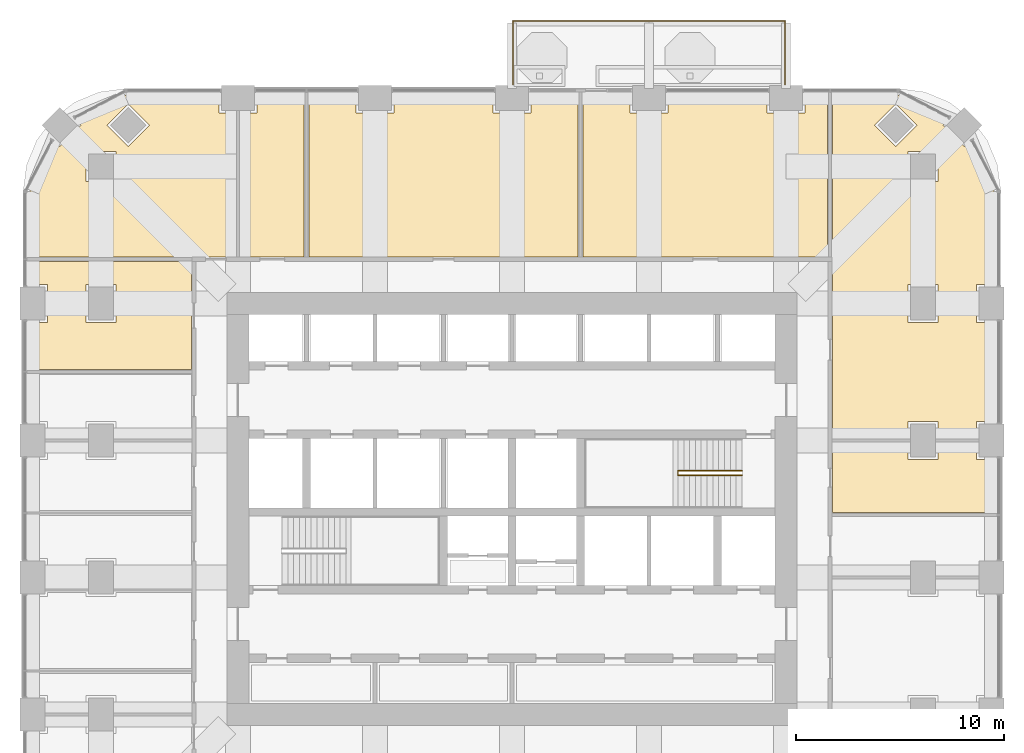
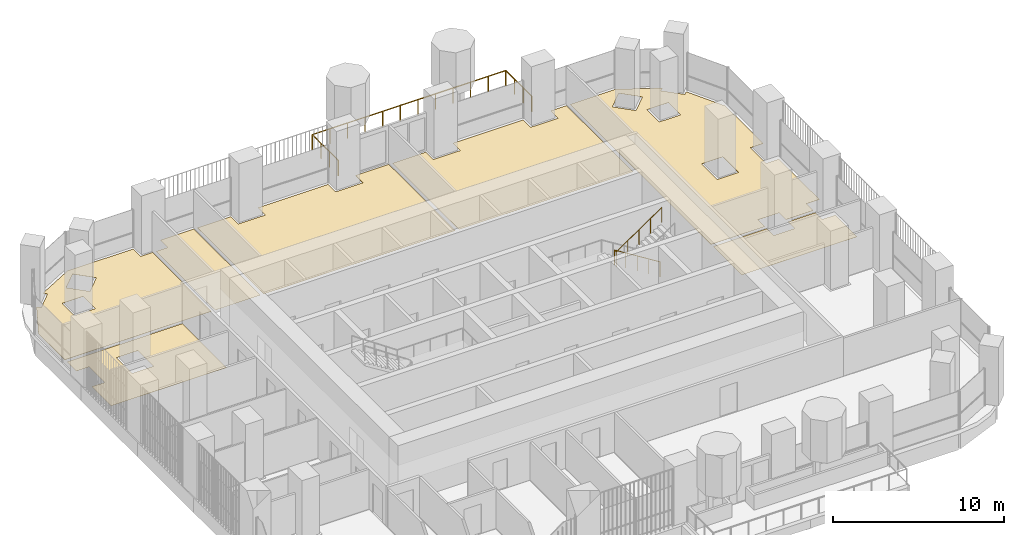
# One storey, part 18 of 19: 7 coverings, 2 railings.
"""IFC4 building model written with IfcOpenShell, lengths in metres."""

import ifcopenshell
import ifcopenshell.guid

model = None  # the IFC model being written
_history = None  # IfcOwnerHistory: only IFC2X3 demands one
_inside = {}  # id of a spatial element -> (the spatial element, [elements in it])
_under = {}  # id of a project, library or spatial element -> (it, [spatial elements below it])
_declared = {}  # id of a project -> (the project, [libraries it declares])
_typed = {}  # id of a type object -> (the type object, [elements of that type])
_made_of = {}  # id of a material, layer set ... -> (it, [elements and type objects made of it])


def new_model(schema):
    """Start an empty IFC model of exactly this schema.

    Asked for "IFC4X3", IfcOpenShell would pick the latest addendum, in which some entities
    have other attributes; the version numbers below select the first issue.
    IFC2X3 requires an IfcOwnerHistory on every rooted entity: one is made here for all.
    """
    global model, _history
    if schema == "IFC4X3":
        model = ifcopenshell.file(schema_version=(4, 3, 0, 0))
    else:
        model = ifcopenshell.file(schema=schema)
    _inside.clear()
    _under.clear()
    _declared.clear()
    _typed.clear()
    _made_of.clear()
    _history = None
    if model.schema == "IFC2X3":
        org = make("IfcOrganization", Name="unknown")
        user = make(
            "IfcPersonAndOrganization",
            ThePerson=make("IfcPerson", FamilyName="unknown"),
            TheOrganization=org,
        )
        app = make(
            "IfcApplication",
            ApplicationDeveloper=org,
            Version="unknown",
            ApplicationFullName="unknown",
            ApplicationIdentifier="unknown",
        )
        _history = make(
            "IfcOwnerHistory",
            OwningUser=user,
            OwningApplication=app,
            ChangeAction="ADDED",
            CreationDate=0,
        )
    return model


def make(cls, **values):
    """One entity of the class cls with the attributes given. An attribute that is None is left unset."""
    return model.create_entity(
        cls, **{name: value for name, value in values.items() if value is not None}
    )


def rooted(cls, **values):
    """An entity with a GlobalId (a new one), such as an element, a storey or a relation."""
    return make(cls, GlobalId=ifcopenshell.guid.new(), OwnerHistory=_history, **values)


def si_unit(unit_type, name, prefix=None):
    """IfcSIUnit, for example si_unit("LENGTHUNIT", "METRE", prefix="MILLI")."""
    return make("IfcSIUnit", UnitType=unit_type, Prefix=prefix, Name=name)


def assignment(units):
    """IfcUnitAssignment: the units of a project."""
    return None if units is None else make("IfcUnitAssignment", Units=units)


def point(xyz):
    """IfcCartesianPoint."""
    return None if xyz is None else make("IfcCartesianPoint", Coordinates=xyz)


def direction(xyz):
    """IfcDirection."""
    return None if xyz is None else make("IfcDirection", DirectionRatios=xyz)


def frame(location, z_axis=None, x_axis=None):
    """IfcAxis2Placement3D, a coordinate frame: its origin and axes. An axis left out is left unset."""
    return make(
        "IfcAxis2Placement3D",
        Location=point(location),
        Axis=direction(z_axis),
        RefDirection=direction(x_axis),
    )


def origin():
    """The frame at (0, 0, 0) with its axes left unset."""
    return frame((0.0, 0.0, 0.0))


def place(relative_to, where):
    """IfcLocalPlacement: puts the frame where relative to a parent placement (None: the world)."""
    return make(
        "IfcLocalPlacement", PlacementRelTo=relative_to, RelativePlacement=where
    )


def context(
    kind, dimensions, precision=None, world=None, true_north=None, identifier=None
):
    """IfcGeometricRepresentationContext, for example the 3D "Model" context."""
    return make(
        "IfcGeometricRepresentationContext",
        ContextIdentifier=identifier,
        ContextType=kind,
        CoordinateSpaceDimension=dimensions,
        Precision=precision,
        WorldCoordinateSystem=world,
        TrueNorth=true_north,
    )


def subcontext(parent, identifier, kind, view, scale=None):
    """IfcGeometricRepresentationSubContext, for example "Body" below "Model"."""
    return make(
        "IfcGeometricRepresentationSubContext",
        ContextIdentifier=identifier,
        ContextType=kind,
        ParentContext=parent,
        TargetScale=scale,
        TargetView=view,
    )


def project(units=None, contexts=None):
    """IfcProject with its units and contexts."""
    return rooted(
        "IfcProject",
        Name="project",
        RepresentationContexts=contexts,
        UnitsInContext=assignment(units),
    )


def spatial(cls, under=None, at=None, **own):
    """A site, building, storey or space (cls), placed at a placement, below another one or the project."""
    s = rooted(cls, ObjectPlacement=at, **own)
    if under is not None:
        _under.setdefault(under.id(), (under, []))[1].append(s)
    return s


def polyline(points):
    """IfcPolyline through the points."""
    return make("IfcPolyline", Points=[point(p) for p in points])


def outline(outer, holes=None, kind="AREA"):
    """IfcArbitraryClosedProfileDef: a profile drawn as a closed curve; with holes, ...WithVoids."""
    if holes is None:
        return make("IfcArbitraryClosedProfileDef", ProfileType=kind, OuterCurve=outer)
    return make(
        "IfcArbitraryProfileDefWithVoids",
        ProfileType=kind,
        OuterCurve=outer,
        InnerCurves=holes,
    )


def extrude(swept, where, along, depth):
    """IfcExtrudedAreaSolid: the profile swept, set in the frame where, extruded along a direction by depth."""
    return make(
        "IfcExtrudedAreaSolid",
        SweptArea=swept,
        Position=where,
        ExtrudedDirection=direction(along),
        Depth=depth,
    )


def shape(context_of_items, identifier, shape_type, items):
    """IfcShapeRepresentation: the items that make up one representation, for example the "Body"."""
    return make(
        "IfcShapeRepresentation",
        ContextOfItems=context_of_items,
        RepresentationIdentifier=identifier,
        RepresentationType=shape_type,
        Items=items,
    )


def material(Name=None, Category=None):
    """IfcMaterial."""
    return make("IfcMaterial", Name=Name, Category=Category)


def layer(
    of_material, thickness, ventilated=None, Name=None, Category=None, Priority=None
):
    """IfcMaterialLayer: one layer of a wall or slab, of a material (None: an air gap)."""
    return make(
        "IfcMaterialLayer",
        Material=of_material,
        LayerThickness=thickness,
        IsVentilated=ventilated,
        Name=Name,
        Category=Category,
        Priority=Priority,
    )


def layer_set(layers, Name=None):
    """IfcMaterialLayerSet."""
    return make("IfcMaterialLayerSet", MaterialLayers=layers, LayerSetName=Name)


def made_of(thing, what):
    """Note that an element or type object is made of a material, layer set ...; save() writes the relation."""
    if what is not None:
        _made_of.setdefault(what.id(), (what, []))[1].append(thing)
    return thing


def type_object(cls, material=None, **own):
    """A type object (cls), such as IfcWallType, which elements share."""
    return made_of(rooted(cls, **own), material)


def element(
    cls,
    number,
    at=None,
    inside=None,
    cuts=None,
    type_object=None,
    material=None,
    context=None,
    identifier="Body",
    shape_type=None,
    held_by="IfcProductDefinitionShape",
    body=None,
    shapes=None,
    **own,
):
    """One element of the class cls, such as IfcWall. Its Tag is "e" and its number.

    at: its placement. inside: the storey or other place that contains it. cuts: it is an
    opening in that element (IfcRelVoidsElement). A single representation is given by context,
    identifier, shape_type and body (its items); several are given by shapes. held_by: the class
    of the entity that holds the representations. save() writes the other relations.
    """
    e = rooted(cls, Tag="e%d" % number, ObjectPlacement=at, **own)
    if body is not None:
        shapes = [shape(context, identifier, shape_type, body)]
    if shapes is not None:
        e.Representation = make(held_by, Representations=shapes)
    if inside is not None:
        _inside.setdefault(inside.id(), (inside, []))[1].append(e)
    if cuts is not None:
        rooted(
            "IfcRelVoidsElement", RelatingBuildingElement=cuts, RelatedOpeningElement=e
        )
    if type_object is not None:
        _typed.setdefault(type_object.id(), (type_object, []))[1].append(e)
    return made_of(e, material)


def aggregate(whole, parts):
    """IfcRelAggregates: a whole, such as a stair, and the parts it consists of."""
    return rooted("IfcRelAggregates", RelatingObject=whole, RelatedObjects=parts)


def save(model, path):
    """Write the relations noted so far, then the file.

    IfcRelAggregates (storeys below a building ...), IfcRelContainedInSpatialStructure (elements
    in a storey), IfcRelDefinesByType, IfcRelAssociatesMaterial and IfcRelDeclares: one each for
    every whole, place, type object, material and project.
    """
    for whole, parts in _under.values():
        aggregate(whole, parts)
    for where, things in _inside.values():
        rooted(
            "IfcRelContainedInSpatialStructure",
            RelatedElements=things,
            RelatingStructure=where,
        )
    for kind, things in _typed.values():
        rooted("IfcRelDefinesByType", RelatedObjects=things, RelatingType=kind)
    for what, things in _made_of.values():
        rooted("IfcRelAssociatesMaterial", RelatedObjects=things, RelatingMaterial=what)
    for by, libraries in _declared.values():
        rooted("IfcRelDeclares", RelatingContext=by, RelatedDefinitions=libraries)
    model.write(path)


model = new_model("IFC4")

# Units and contexts
model_context = context("Model", 3, precision=1e-05, world=origin(), true_north=direction((0.0, 1.0)))
body_context = subcontext(model_context, "Body", "Model", "MODEL_VIEW")
ifc_project = project(units=[si_unit("LENGTHUNIT", "METRE"), si_unit("AREAUNIT", "SQUARE_METRE"), si_unit("VOLUMEUNIT", "CUBIC_METRE"), si_unit("PLANEANGLEUNIT", "RADIAN"), si_unit("MASSUNIT", "GRAM", prefix="KILO")], contexts=[model_context])

# Site, building, storey
site_placement = place(None, origin())
site = spatial("IfcSite", under=ifc_project, at=site_placement, CompositionType="ELEMENT")
building_placement = place(site_placement, origin())
building = spatial("IfcBuilding", under=site, at=building_placement, Name="Cobogo Forest Laboratory Tower", CompositionType="ELEMENT")
storey_placement = place(building_placement, frame((0.0, 0.0, 164.10009765625)))
storey = spatial("IfcBuildingStorey", under=building, at=storey_placement, Name="L37", CompositionType="ELEMENT", Elevation=164.10009765625)

# Railing
ifc_material_1 = material(Name="Laminated glass balustrade", Category="glass")
railing_type_1 = type_object("IfcRailingType", Name="BG1 glass balustrade 1100", PredefinedType="GUARDRAIL", material=ifc_material_1)
railing_1_placement = place(storey_placement, frame((26.449951171875, 43.550048828125, 0.0)))
element("IfcRailing", 1, at=railing_1_placement, inside=storey, type_object=railing_type_1, Name="Balcony balustrade BAL-N1 L37", PredefinedType="GUARDRAIL", context=body_context, shape_type="SweptSolid", body=[
    extrude(outline(polyline([(0.022216796875, 0.00927734375), (0.00927734375, 0.022216796875), (-0.00927734375, 0.022216796875), (-0.022216796875, 0.00927734375), (-0.022216796875, -0.00927734375), (-0.00927734375, -0.022216796875), (0.00927734375, -0.022216796875), (0.022216796875, -0.00927734375), (0.022216796875, 0.00927734375)])), frame((0.0, 0.0, 1.077880859375), z_axis=(0.0, 1.0, 0.0), x_axis=(-1.0, 0.0, 0.0)), (0.0, 0.0, 1.0), 3.050048828125),
    extrude(outline(polyline([(0.022216796875, 0.00927734375), (0.00927734375, 0.022216796875), (-0.00927734375, 0.022216796875), (-0.022216796875, 0.00927734375), (-0.022216796875, -0.00927734375), (-0.00927734375, -0.022216796875), (0.00927734375, -0.022216796875), (0.022216796875, -0.00927734375), (0.022216796875, 0.00927734375)])), frame((0.0, 3.050048828125, 1.077880859375), z_axis=(1.0, 0.0, 0.0), x_axis=(0.0, 1.0, 0.0)), (0.0, 0.0, 1.0), 13.10009765625),
    extrude(outline(polyline([(0.022216796875, 0.00927734375), (0.00927734375, 0.022216796875), (-0.00927734375, 0.022216796875), (-0.022216796875, 0.00927734375), (-0.022216796875, -0.00927734375), (-0.00927734375, -0.022216796875), (0.00927734375, -0.022216796875), (0.022216796875, -0.00927734375), (0.022216796875, 0.00927734375)])), frame((13.10009765625, 3.050048828125, 1.077880859375), z_axis=(0.0, -1.0, 0.0), x_axis=(1.0, 0.0, 0.0)), (0.0, 0.0, 1.0), 3.050048828125),
    extrude(outline(polyline([(0.019287109375, 0.008056640625), (0.008056640625, 0.019287109375), (-0.008056640625, 0.019287109375), (-0.019287109375, 0.008056640625), (-0.019287109375, -0.008056640625), (-0.008056640625, -0.019287109375), (0.008056640625, -0.019287109375), (0.019287109375, -0.008056640625), (0.019287109375, 0.008056640625)])), origin(), (0.0, 0.0, 1.0), 1.077880859375),
    extrude(outline(polyline([(0.019287109375, 0.008056640625), (0.008056640625, 0.019287109375), (-0.008056640625, 0.019287109375), (-0.019287109375, 0.008056640625), (-0.019287109375, -0.008056640625), (-0.008056640625, -0.019287109375), (0.008056640625, -0.019287109375), (0.019287109375, -0.008056640625), (0.019287109375, 0.008056640625)])), frame((0.0, 1.0166015625, 0.0)), (0.0, 0.0, 1.0), 1.077880859375),
    extrude(outline(polyline([(0.019287109375, 0.008056640625), (0.008056640625, 0.019287109375), (-0.008056640625, 0.019287109375), (-0.019287109375, 0.008056640625), (-0.019287109375, -0.008056640625), (-0.008056640625, -0.019287109375), (0.008056640625, -0.019287109375), (0.019287109375, -0.008056640625), (0.019287109375, 0.008056640625)])), frame((0.0, 2.033447265625, 0.0)), (0.0, 0.0, 1.0), 1.077880859375),
    extrude(outline(polyline([(0.019287109375, 0.008056640625), (0.008056640625, 0.019287109375), (-0.008056640625, 0.019287109375), (-0.019287109375, 0.008056640625), (-0.019287109375, -0.008056640625), (-0.008056640625, -0.019287109375), (0.008056640625, -0.019287109375), (0.019287109375, -0.008056640625), (0.019287109375, 0.008056640625)])), frame((0.0, 3.050048828125, 0.0)), (0.0, 0.0, 1.0), 1.077880859375),
    extrude(outline(polyline([(0.019287109375, 0.008056640625), (0.008056640625, 0.019287109375), (-0.008056640625, 0.019287109375), (-0.019287109375, 0.008056640625), (-0.019287109375, -0.008056640625), (-0.008056640625, -0.019287109375), (0.008056640625, -0.019287109375), (0.019287109375, -0.008056640625), (0.019287109375, 0.008056640625)])), frame((1.19091796875, 3.050048828125, 0.0)), (0.0, 0.0, 1.0), 1.077880859375),
    extrude(outline(polyline([(0.019287109375, 0.008056640625), (0.008056640625, 0.019287109375), (-0.008056640625, 0.019287109375), (-0.019287109375, 0.008056640625), (-0.019287109375, -0.008056640625), (-0.008056640625, -0.019287109375), (0.008056640625, -0.019287109375), (0.019287109375, -0.008056640625), (0.019287109375, 0.008056640625)])), frame((2.3818359375, 3.050048828125, 0.0)), (0.0, 0.0, 1.0), 1.077880859375),
    extrude(outline(polyline([(0.019287109375, 0.008056640625), (0.008056640625, 0.019287109375), (-0.008056640625, 0.019287109375), (-0.019287109375, 0.008056640625), (-0.019287109375, -0.008056640625), (-0.008056640625, -0.019287109375), (0.008056640625, -0.019287109375), (0.019287109375, -0.008056640625), (0.019287109375, 0.008056640625)])), frame((3.57275390625, 3.050048828125, 0.0)), (0.0, 0.0, 1.0), 1.077880859375),
    extrude(outline(polyline([(0.019287109375, 0.008056640625), (0.008056640625, 0.019287109375), (-0.008056640625, 0.019287109375), (-0.019287109375, 0.008056640625), (-0.019287109375, -0.008056640625), (-0.008056640625, -0.019287109375), (0.008056640625, -0.019287109375), (0.019287109375, -0.008056640625), (0.019287109375, 0.008056640625)])), frame((4.763671875, 3.050048828125, 0.0)), (0.0, 0.0, 1.0), 1.077880859375),
    extrude(outline(polyline([(0.019287109375, 0.008056640625), (0.008056640625, 0.019287109375), (-0.008056640625, 0.019287109375), (-0.019287109375, 0.008056640625), (-0.019287109375, -0.008056640625), (-0.008056640625, -0.019287109375), (0.008056640625, -0.019287109375), (0.019287109375, -0.008056640625), (0.019287109375, 0.008056640625)])), frame((5.95458984375, 3.050048828125, 0.0)), (0.0, 0.0, 1.0), 1.077880859375),
    extrude(outline(polyline([(0.019287109375, 0.008056640625), (0.008056640625, 0.019287109375), (-0.008056640625, 0.019287109375), (-0.019287109375, 0.008056640625), (-0.019287109375, -0.008056640625), (-0.008056640625, -0.019287109375), (0.008056640625, -0.019287109375), (0.019287109375, -0.008056640625), (0.019287109375, 0.008056640625)])), frame((7.1455078125, 3.050048828125, 0.0)), (0.0, 0.0, 1.0), 1.077880859375),
    extrude(outline(polyline([(0.019287109375, 0.008056640625), (0.008056640625, 0.019287109375), (-0.008056640625, 0.019287109375), (-0.019287109375, 0.008056640625), (-0.019287109375, -0.008056640625), (-0.008056640625, -0.019287109375), (0.008056640625, -0.019287109375), (0.019287109375, -0.008056640625), (0.019287109375, 0.008056640625)])), frame((8.33642578125, 3.050048828125, 0.0)), (0.0, 0.0, 1.0), 1.077880859375),
    extrude(outline(polyline([(0.019287109375, 0.008056640625), (0.008056640625, 0.019287109375), (-0.008056640625, 0.019287109375), (-0.019287109375, 0.008056640625), (-0.019287109375, -0.008056640625), (-0.008056640625, -0.019287109375), (0.008056640625, -0.019287109375), (0.019287109375, -0.008056640625), (0.019287109375, 0.008056640625)])), frame((9.52734375, 3.050048828125, 0.0)), (0.0, 0.0, 1.0), 1.077880859375),
    extrude(outline(polyline([(0.019287109375, 0.008056640625), (0.008056640625, 0.019287109375), (-0.008056640625, 0.019287109375), (-0.019287109375, 0.008056640625), (-0.019287109375, -0.008056640625), (-0.008056640625, -0.019287109375), (0.008056640625, -0.019287109375), (0.019287109375, -0.008056640625), (0.019287109375, 0.008056640625)])), frame((10.71826171875, 3.050048828125, 0.0)), (0.0, 0.0, 1.0), 1.077880859375),
    extrude(outline(polyline([(0.019287109375, 0.008056640625), (0.008056640625, 0.019287109375), (-0.008056640625, 0.019287109375), (-0.019287109375, 0.008056640625), (-0.019287109375, -0.008056640625), (-0.008056640625, -0.019287109375), (0.008056640625, -0.019287109375), (0.019287109375, -0.008056640625), (0.019287109375, 0.008056640625)])), frame((11.9091796875, 3.050048828125, 0.0)), (0.0, 0.0, 1.0), 1.077880859375),
    extrude(outline(polyline([(0.019287109375, 0.008056640625), (0.008056640625, 0.019287109375), (-0.008056640625, 0.019287109375), (-0.019287109375, 0.008056640625), (-0.019287109375, -0.008056640625), (-0.008056640625, -0.019287109375), (0.008056640625, -0.019287109375), (0.019287109375, -0.008056640625), (0.019287109375, 0.008056640625)])), frame((13.10009765625, 3.050048828125, 0.0)), (0.0, 0.0, 1.0), 1.077880859375),
    extrude(outline(polyline([(0.019287109375, 0.008056640625), (0.008056640625, 0.019287109375), (-0.008056640625, 0.019287109375), (-0.019287109375, 0.008056640625), (-0.019287109375, -0.008056640625), (-0.008056640625, -0.019287109375), (0.008056640625, -0.019287109375), (0.019287109375, -0.008056640625), (0.019287109375, 0.008056640625)])), frame((13.10009765625, 2.033447265625, 0.0)), (0.0, 0.0, 1.0), 1.077880859375),
    extrude(outline(polyline([(0.019287109375, 0.008056640625), (0.008056640625, 0.019287109375), (-0.008056640625, 0.019287109375), (-0.019287109375, 0.008056640625), (-0.019287109375, -0.008056640625), (-0.008056640625, -0.019287109375), (0.008056640625, -0.019287109375), (0.019287109375, -0.008056640625), (0.019287109375, 0.008056640625)])), frame((13.10009765625, 1.0166015625, 0.0)), (0.0, 0.0, 1.0), 1.077880859375),
    extrude(outline(polyline([(0.019287109375, 0.008056640625), (0.008056640625, 0.019287109375), (-0.008056640625, 0.019287109375), (-0.019287109375, 0.008056640625), (-0.019287109375, -0.008056640625), (-0.008056640625, -0.019287109375), (0.008056640625, -0.019287109375), (0.019287109375, -0.008056640625), (0.019287109375, 0.008056640625)])), frame((13.10009765625, 0.0, 0.0)), (0.0, 0.0, 1.0), 1.077880859375),
])

# Coverings
ifc_material_2 = material(Name="Carpet tile on raised access floor", Category="flooring")
ifc_layer_1 = layer(ifc_material_2, 0.008056640625)
ifc_layer_set_1 = layer_set([ifc_layer_1], Name="CT1 carpet tile floor 8")
covering_type_1 = type_object("IfcCoveringType", Name="CT1 carpet tile floor 8", PredefinedType="FLOORING", material=ifc_layer_set_1)
covering_1_placement = place(storey_placement, origin())
element("IfcCovering", 2, at=covering_1_placement, inside=storey, type_object=covering_type_1, Name="Carpet floor L37-10", PredefinedType="FLOORING", context=body_context, shape_type="SweptSolid", body=[
    extrude(outline(polyline([(41.844970703125, 43.050048828125), (44.95068359375, 43.050048828125), (47.36572265625, 41.783935546875), (47.163818359375, 41.58203125), (48.181884765625, 40.563720703125), (48.384033203125, 40.765869140625), (49.64990234375, 38.350830078125), (49.64990234375, 33.919921875), (48.780029296875, 33.919921875), (48.780029296875, 32.080078125), (49.64990234375, 32.080078125), (49.64990234375, 27.320068359375), (48.780029296875, 27.320068359375), (48.780029296875, 26.52001953125), (46.919921875, 26.52001953125), (46.919921875, 27.320068359375), (45.47998046875, 27.320068359375), (45.47998046875, 26.52001953125), (41.844970703125, 26.52001953125), (41.844970703125, 43.050048828125)]), holes=[polyline([(45.47998046875, 40.320068359375), (45.47998046875, 38.8798828125), (46.919921875, 38.8798828125), (46.919921875, 40.320068359375), (45.47998046875, 40.320068359375)]), polyline([(46.919921875, 32.080078125), (46.919921875, 33.919921875), (45.47998046875, 33.919921875), (45.47998046875, 32.080078125), (46.919921875, 32.080078125)]), polyline([(44.882080078125, 40.563720703125), (45.900146484375, 41.58203125), (44.882080078125, 42.60009765625), (43.86376953125, 41.58203125), (44.882080078125, 40.563720703125)])]), origin(), (0.0, 0.0, 1.0), 0.0078125),
])
covering_2_placement = place(storey_placement, origin())
element("IfcCovering", 3, at=covering_2_placement, inside=storey, type_object=covering_type_1, Name="Carpet floor L37-11", PredefinedType="FLOORING", context=body_context, shape_type="SweptSolid", body=[
    extrude(outline(polyline([(3.14990234375, 35.2451171875), (3.14990234375, 38.350830078125), (4.416015625, 40.765869140625), (4.617919921875, 40.563720703125), (5.63623046875, 41.58203125), (5.434326171875, 41.783935546875), (7.84912109375, 43.050048828125), (12.280029296875, 43.050048828125), (12.280029296875, 42.179931640625), (13.080078125, 42.179931640625), (13.080078125, 35.2451171875), (3.14990234375, 35.2451171875)]), holes=[polyline([(7.91796875, 40.563720703125), (8.936279296875, 41.58203125), (7.91796875, 42.60009765625), (6.89990234375, 41.58203125), (7.91796875, 40.563720703125)]), polyline([(5.8798828125, 38.8798828125), (7.320068359375, 38.8798828125), (7.320068359375, 40.320068359375), (5.8798828125, 40.320068359375), (5.8798828125, 38.8798828125)])]), origin(), (0.0, 0.0, 1.0), 0.0078125),
])
covering_3_placement = place(storey_placement, origin())
element("IfcCovering", 4, at=covering_3_placement, inside=storey, type_object=covering_type_1, Name="Carpet floor L37-13", PredefinedType="FLOORING", context=body_context, shape_type="SweptSolid", body=[
    extrude(outline(polyline([(16.6201171875, 35.2451171875), (16.6201171875, 43.050048828125), (18.8798828125, 43.050048828125), (18.8798828125, 42.179931640625), (20.719970703125, 42.179931640625), (20.719970703125, 43.050048828125), (25.47998046875, 43.050048828125), (25.47998046875, 42.179931640625), (27.320068359375, 42.179931640625), (27.320068359375, 43.050048828125), (29.580078125, 43.050048828125), (29.580078125, 35.2451171875), (16.6201171875, 35.2451171875)])), origin(), (0.0, 0.0, 1.0), 0.0078125),
])

# Railing
ifc_material_3 = material(Name="Steel balustrade", Category="steel")
railing_type_2 = type_object("IfcRailingType", Name="GR stair guard 1100", PredefinedType="GUARDRAIL", material=ifc_material_3)
railing_2_placement = place(storey_placement, frame((37.47509765625, 24.929931640625, 0.1748046875)))
element("IfcRailing", 5, at=railing_2_placement, inside=storey, type_object=railing_type_2, Name="Stair guard ST2 L37", PredefinedType="GUARDRAIL", context=body_context, shape_type="SweptSolid", body=[
    extrude(outline(polyline([(0.022216796875, 0.00927734375), (0.00927734375, 0.022216796875), (-0.00927734375, 0.022216796875), (-0.022216796875, 0.00927734375), (-0.022216796875, -0.00927734375), (-0.00927734375, -0.022216796875), (0.00927734375, -0.022216796875), (0.022216796875, -0.00927734375), (0.022216796875, 0.00927734375)])), frame((0.0, 0.0, 1.077880859375), z_axis=(-0.847998304005, 0.0, 0.529998940003), x_axis=(0.0, -1.0, 0.0)), (0.0, 0.0, 1.0), 3.632080078125),
    extrude(outline(polyline([(0.022216796875, 0.00927734375), (0.00927734375, 0.022216796875), (-0.00927734375, 0.022216796875), (-0.022216796875, 0.00927734375), (-0.022216796875, -0.00927734375), (-0.00927734375, -0.022216796875), (0.00927734375, -0.022216796875), (0.022216796875, -0.00927734375), (0.022216796875, 0.00927734375)])), frame((-3.080078125, 0.0, 3.0029296875), z_axis=(0.0, -1.0, 0.0), x_axis=(1.0, 0.0, 0.0)), (0.0, 0.0, 1.0), 0.2099609375),
    extrude(outline(polyline([(0.022216796875, 0.00927734375), (0.00927734375, 0.022216796875), (-0.00927734375, 0.022216796875), (-0.022216796875, 0.00927734375), (-0.022216796875, -0.00927734375), (-0.00927734375, -0.022216796875), (0.00927734375, -0.022216796875), (0.022216796875, -0.00927734375), (0.022216796875, 0.00927734375)])), frame((-3.080078125, -0.2099609375, 3.0029296875), z_axis=(0.826221800596, 0.0, 0.563344953133), x_axis=(0.0, 1.0, 0.0)), (0.0, 0.0, 1.0), 3.72802734375),
    extrude(outline(polyline([(0.019287109375, 0.008056640625), (0.008056640625, 0.019287109375), (-0.008056640625, 0.019287109375), (-0.019287109375, 0.008056640625), (-0.019287109375, -0.008056640625), (-0.008056640625, -0.019287109375), (0.008056640625, -0.019287109375), (0.019287109375, -0.008056640625), (0.019287109375, 0.008056640625)])), origin(), (0.0, 0.0, 1.0), 1.077880859375),
    extrude(outline(polyline([(0.019287109375, 0.008056640625), (0.008056640625, 0.019287109375), (-0.008056640625, 0.019287109375), (-0.019287109375, 0.008056640625), (-0.019287109375, -0.008056640625), (-0.008056640625, -0.019287109375), (0.008056640625, -0.019287109375), (0.019287109375, -0.008056640625), (0.019287109375, 0.008056640625)])), frame((-0.77001953125, 0.0, 0.481201171875)), (0.0, 0.0, 1.0), 1.077880859375),
    extrude(outline(polyline([(0.019287109375, 0.008056640625), (0.008056640625, 0.019287109375), (-0.008056640625, 0.019287109375), (-0.019287109375, 0.008056640625), (-0.019287109375, -0.008056640625), (-0.008056640625, -0.019287109375), (0.008056640625, -0.019287109375), (0.019287109375, -0.008056640625), (0.019287109375, 0.008056640625)])), frame((-1.5400390625, 0.0, 0.96240234375)), (0.0, 0.0, 1.0), 1.077880859375),
    extrude(outline(polyline([(0.019287109375, 0.008056640625), (0.008056640625, 0.019287109375), (-0.008056640625, 0.019287109375), (-0.019287109375, 0.008056640625), (-0.019287109375, -0.008056640625), (-0.008056640625, -0.019287109375), (0.008056640625, -0.019287109375), (0.019287109375, -0.008056640625), (0.019287109375, 0.008056640625)])), frame((-2.31005859375, 0.0, 1.44384765625)), (0.0, 0.0, 1.0), 1.077880859375),
    extrude(outline(polyline([(0.019287109375, 0.008056640625), (0.008056640625, 0.019287109375), (-0.008056640625, 0.019287109375), (-0.019287109375, 0.008056640625), (-0.019287109375, -0.008056640625), (-0.008056640625, -0.019287109375), (0.008056640625, -0.019287109375), (0.019287109375, -0.008056640625), (0.019287109375, 0.008056640625)])), frame((-3.080078125, 0.0, 1.925048828125)), (0.0, 0.0, 1.0), 1.077880859375),
    extrude(outline(polyline([(0.019287109375, 0.008056640625), (0.008056640625, 0.019287109375), (-0.008056640625, 0.019287109375), (-0.019287109375, 0.008056640625), (-0.019287109375, -0.008056640625), (-0.008056640625, -0.019287109375), (0.008056640625, -0.019287109375), (0.019287109375, -0.008056640625), (0.019287109375, 0.008056640625)])), frame((-3.080078125, -0.2099609375, 1.925048828125)), (0.0, 0.0, 1.0), 1.077880859375),
    extrude(outline(polyline([(0.019287109375, 0.008056640625), (0.008056640625, 0.019287109375), (-0.008056640625, 0.019287109375), (-0.019287109375, 0.008056640625), (-0.019287109375, -0.008056640625), (-0.008056640625, -0.019287109375), (0.008056640625, -0.019287109375), (0.019287109375, -0.008056640625), (0.019287109375, 0.008056640625)])), frame((-2.31005859375, -0.2099609375, 2.4501953125)), (0.0, 0.0, 1.0), 1.077880859375),
    extrude(outline(polyline([(0.019287109375, 0.008056640625), (0.008056640625, 0.019287109375), (-0.008056640625, 0.019287109375), (-0.019287109375, 0.008056640625), (-0.019287109375, -0.008056640625), (-0.008056640625, -0.019287109375), (0.008056640625, -0.019287109375), (0.019287109375, -0.008056640625), (0.019287109375, 0.008056640625)])), frame((-1.5400390625, -0.2099609375, 2.97509765625)), (0.0, 0.0, 1.0), 1.077880859375),
    extrude(outline(polyline([(0.019287109375, 0.008056640625), (0.008056640625, 0.019287109375), (-0.008056640625, 0.019287109375), (-0.019287109375, 0.008056640625), (-0.019287109375, -0.008056640625), (-0.008056640625, -0.019287109375), (0.008056640625, -0.019287109375), (0.019287109375, -0.008056640625), (0.019287109375, 0.008056640625)])), frame((-0.77001953125, -0.2099609375, 3.5)), (0.0, 0.0, 1.0), 1.077880859375),
    extrude(outline(polyline([(0.019287109375, 0.008056640625), (0.008056640625, 0.019287109375), (-0.008056640625, 0.019287109375), (-0.019287109375, 0.008056640625), (-0.019287109375, -0.008056640625), (-0.008056640625, -0.019287109375), (0.008056640625, -0.019287109375), (0.019287109375, -0.008056640625), (0.019287109375, 0.008056640625)])), frame((0.0, -0.2099609375, 4.025146484375)), (0.0, 0.0, 1.0), 1.077880859375),
])

# Coverings
ifc_material_4 = material(Name="Static-dissipative vinyl flooring", Category="flooring")
ifc_layer_2 = layer(ifc_material_4, 0.0029296875)
ifc_layer_set_2 = layer_set([ifc_layer_2], Name="SD1 static-dissipative vinyl floor 3")
covering_type_2 = type_object("IfcCoveringType", Name="SD1 static-dissipative vinyl floor 3", PredefinedType="FLOORING", material=ifc_layer_set_2)
covering_4_placement = place(storey_placement, origin())
element("IfcCovering", 6, at=covering_4_placement, inside=storey, type_object=covering_type_2, Name="Static-dissipative floor L37-09", PredefinedType="FLOORING", context=body_context, shape_type="SweptSolid", body=[
    extrude(outline(polyline([(41.844970703125, 26.280029296875), (45.47998046875, 26.280029296875), (45.47998046875, 25.47998046875), (46.919921875, 25.47998046875), (46.919921875, 26.280029296875), (48.780029296875, 26.280029296875), (48.780029296875, 25.47998046875), (49.64990234375, 25.47998046875), (49.64990234375, 22.919921875), (41.844970703125, 22.919921875), (41.844970703125, 26.280029296875)])), origin(), (0.0, 0.0, 1.0), 0.0029296875),
])
covering_5_placement = place(storey_placement, origin())
element("IfcCovering", 7, at=covering_5_placement, inside=storey, type_object=covering_type_2, Name="Static-dissipative floor L37-12", PredefinedType="FLOORING", context=body_context, shape_type="SweptSolid", body=[
    extrude(outline(polyline([(13.320068359375, 35.2451171875), (13.320068359375, 42.179931640625), (14.1201171875, 42.179931640625), (14.1201171875, 43.050048828125), (16.3798828125, 43.050048828125), (16.3798828125, 35.2451171875), (13.320068359375, 35.2451171875)])), origin(), (0.0, 0.0, 1.0), 0.0029296875),
])
covering_6_placement = place(storey_placement, origin())
element("IfcCovering", 8, at=covering_6_placement, inside=storey, type_object=covering_type_2, Name="Static-dissipative floor L37-14", PredefinedType="FLOORING", context=body_context, shape_type="SweptSolid", body=[
    extrude(outline(polyline([(29.820068359375, 35.2451171875), (29.820068359375, 43.050048828125), (32.080078125, 43.050048828125), (32.080078125, 42.179931640625), (33.919921875, 42.179931640625), (33.919921875, 43.050048828125), (38.679931640625, 43.050048828125), (38.679931640625, 42.179931640625), (40.52001953125, 42.179931640625), (40.52001953125, 43.050048828125), (41.60498046875, 43.050048828125), (41.60498046875, 35.2451171875), (29.820068359375, 35.2451171875)])), origin(), (0.0, 0.0, 1.0), 0.0029296875),
])
covering_7_placement = place(storey_placement, origin())
element("IfcCovering", 9, at=covering_7_placement, inside=storey, type_object=covering_type_2, Name="Static-dissipative floor L37-21", PredefinedType="FLOORING", context=body_context, shape_type="SweptSolid", body=[
    extrude(outline(polyline([(10.955078125, 29.820068359375), (3.14990234375, 29.820068359375), (3.14990234375, 32.080078125), (4.02001953125, 32.080078125), (4.02001953125, 33.919921875), (3.14990234375, 33.919921875), (3.14990234375, 35.0048828125), (10.955078125, 35.0048828125), (10.955078125, 29.820068359375)]), holes=[polyline([(5.8798828125, 32.080078125), (7.320068359375, 32.080078125), (7.320068359375, 33.919921875), (5.8798828125, 33.919921875), (5.8798828125, 32.080078125)])]), origin(), (0.0, 0.0, 1.0), 0.0029296875),
])

save(model, "model.ifc")
